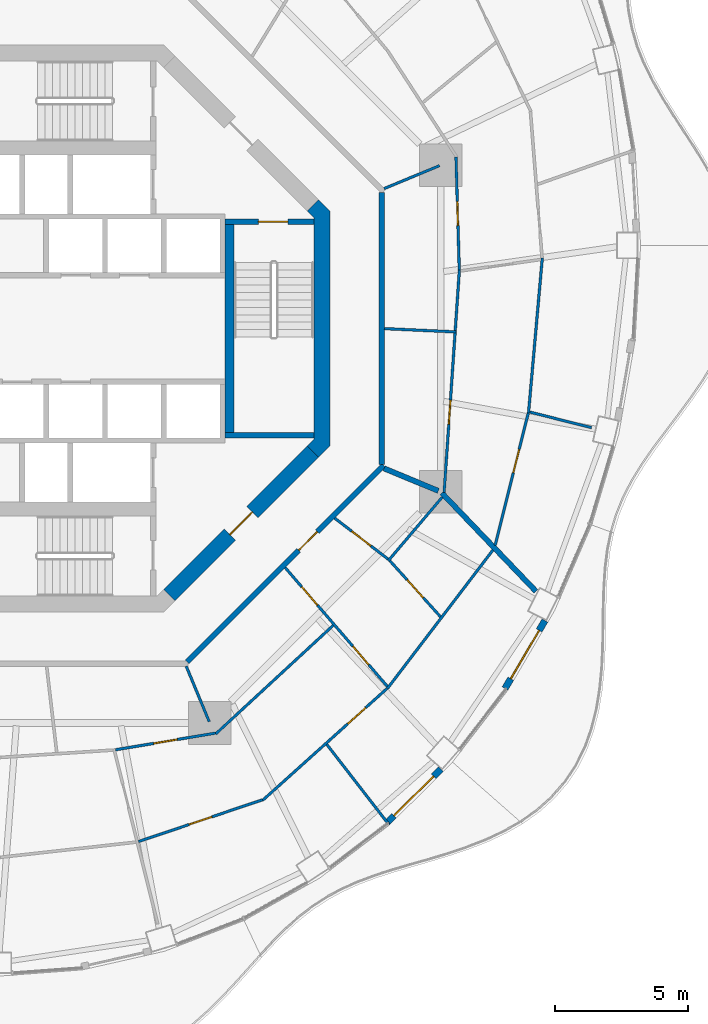
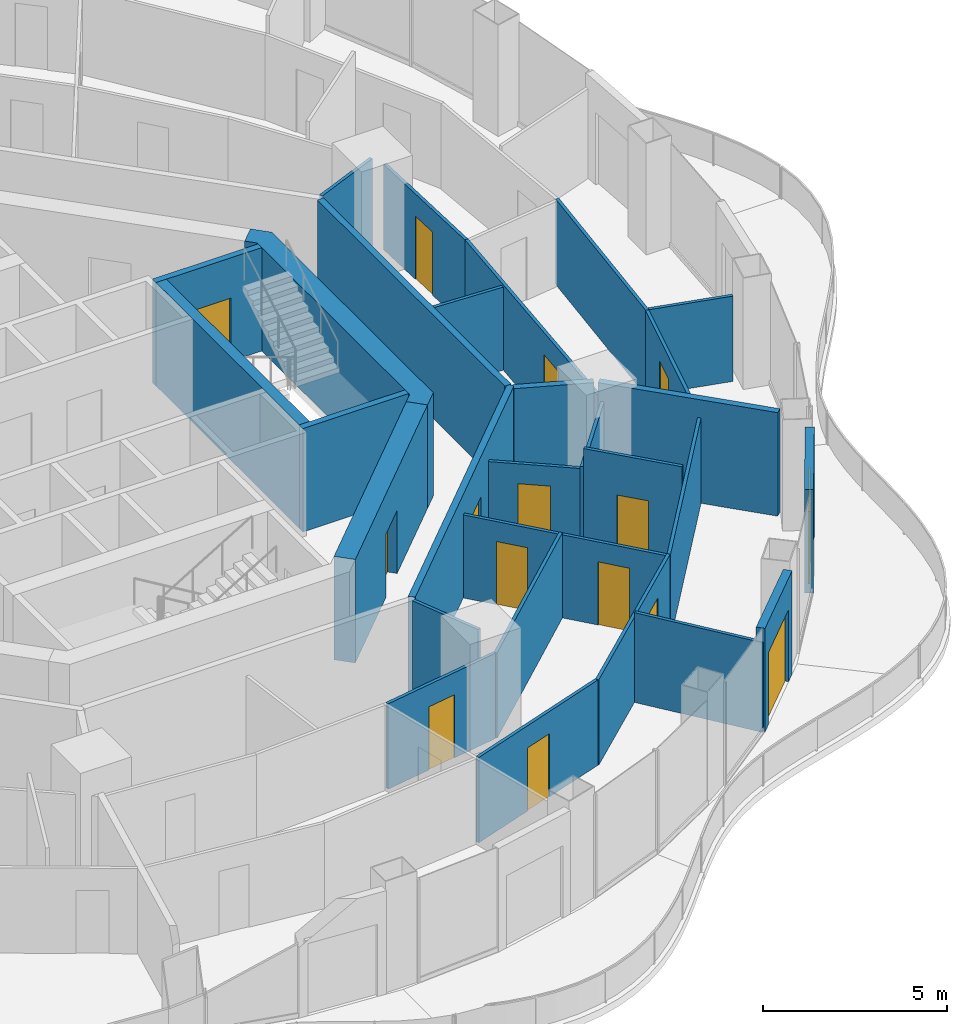
# One storey, part 12 of 18: 29 walls, 15 doors, 15 openings.
"""IFC4 building model written with IfcOpenShell, lengths in metres."""

import ifcopenshell
import ifcopenshell.guid

model = None  # the IFC model being written
_history = None  # IfcOwnerHistory: only IFC2X3 demands one
_inside = {}  # id of a spatial element -> (the spatial element, [elements in it])
_under = {}  # id of a project, library or spatial element -> (it, [spatial elements below it])
_declared = {}  # id of a project -> (the project, [libraries it declares])
_typed = {}  # id of a type object -> (the type object, [elements of that type])
_made_of = {}  # id of a material, layer set ... -> (it, [elements and type objects made of it])


def new_model(schema):
    """Start an empty IFC model of exactly this schema.

    Asked for "IFC4X3", IfcOpenShell would pick the latest addendum, in which some entities
    have other attributes; the version numbers below select the first issue.
    IFC2X3 requires an IfcOwnerHistory on every rooted entity: one is made here for all.
    """
    global model, _history
    if schema == "IFC4X3":
        model = ifcopenshell.file(schema_version=(4, 3, 0, 0))
    else:
        model = ifcopenshell.file(schema=schema)
    _inside.clear()
    _under.clear()
    _declared.clear()
    _typed.clear()
    _made_of.clear()
    _history = None
    if model.schema == "IFC2X3":
        org = make("IfcOrganization", Name="unknown")
        user = make(
            "IfcPersonAndOrganization",
            ThePerson=make("IfcPerson", FamilyName="unknown"),
            TheOrganization=org,
        )
        app = make(
            "IfcApplication",
            ApplicationDeveloper=org,
            Version="unknown",
            ApplicationFullName="unknown",
            ApplicationIdentifier="unknown",
        )
        _history = make(
            "IfcOwnerHistory",
            OwningUser=user,
            OwningApplication=app,
            ChangeAction="ADDED",
            CreationDate=0,
        )
    return model


def make(cls, **values):
    """One entity of the class cls with the attributes given. An attribute that is None is left unset."""
    return model.create_entity(
        cls, **{name: value for name, value in values.items() if value is not None}
    )


def rooted(cls, **values):
    """An entity with a GlobalId (a new one), such as an element, a storey or a relation."""
    return make(cls, GlobalId=ifcopenshell.guid.new(), OwnerHistory=_history, **values)


def si_unit(unit_type, name, prefix=None):
    """IfcSIUnit, for example si_unit("LENGTHUNIT", "METRE", prefix="MILLI")."""
    return make("IfcSIUnit", UnitType=unit_type, Prefix=prefix, Name=name)


def assignment(units):
    """IfcUnitAssignment: the units of a project."""
    return None if units is None else make("IfcUnitAssignment", Units=units)


def point(xyz):
    """IfcCartesianPoint."""
    return None if xyz is None else make("IfcCartesianPoint", Coordinates=xyz)


def direction(xyz):
    """IfcDirection."""
    return None if xyz is None else make("IfcDirection", DirectionRatios=xyz)


def frame(location, z_axis=None, x_axis=None):
    """IfcAxis2Placement3D, a coordinate frame: its origin and axes. An axis left out is left unset."""
    return make(
        "IfcAxis2Placement3D",
        Location=point(location),
        Axis=direction(z_axis),
        RefDirection=direction(x_axis),
    )


def frame_2d(location, x_axis=None):
    """IfcAxis2Placement2D, a coordinate frame in the plane: its origin and x axis."""
    return make(
        "IfcAxis2Placement2D", Location=point(location), RefDirection=direction(x_axis)
    )


def origin():
    """The frame at (0, 0, 0) with its axes left unset."""
    return frame((0.0, 0.0, 0.0))


def place(relative_to, where):
    """IfcLocalPlacement: puts the frame where relative to a parent placement (None: the world)."""
    return make(
        "IfcLocalPlacement", PlacementRelTo=relative_to, RelativePlacement=where
    )


def context(
    kind, dimensions, precision=None, world=None, true_north=None, identifier=None
):
    """IfcGeometricRepresentationContext, for example the 3D "Model" context."""
    return make(
        "IfcGeometricRepresentationContext",
        ContextIdentifier=identifier,
        ContextType=kind,
        CoordinateSpaceDimension=dimensions,
        Precision=precision,
        WorldCoordinateSystem=world,
        TrueNorth=true_north,
    )


def subcontext(parent, identifier, kind, view, scale=None):
    """IfcGeometricRepresentationSubContext, for example "Body" below "Model"."""
    return make(
        "IfcGeometricRepresentationSubContext",
        ContextIdentifier=identifier,
        ContextType=kind,
        ParentContext=parent,
        TargetScale=scale,
        TargetView=view,
    )


def project(units=None, contexts=None):
    """IfcProject with its units and contexts."""
    return rooted(
        "IfcProject",
        Name="project",
        RepresentationContexts=contexts,
        UnitsInContext=assignment(units),
    )


def spatial(cls, under=None, at=None, **own):
    """A site, building, storey or space (cls), placed at a placement, below another one or the project."""
    s = rooted(cls, ObjectPlacement=at, **own)
    if under is not None:
        _under.setdefault(under.id(), (under, []))[1].append(s)
    return s


def polyline(points):
    """IfcPolyline through the points."""
    return make("IfcPolyline", Points=[point(p) for p in points])


def profile(cls, at=None, kind="AREA", **sizes):
    """A parametric profile (cls). Its sizes go by their IFC names, for example OverallWidth=200.0."""
    return make(cls, ProfileType=kind, Position=at, **sizes)


def rectangle(**sizes):
    """IfcRectangleProfileDef."""
    return profile("IfcRectangleProfileDef", **sizes)


def outline(outer, holes=None, kind="AREA"):
    """IfcArbitraryClosedProfileDef: a profile drawn as a closed curve; with holes, ...WithVoids."""
    if holes is None:
        return make("IfcArbitraryClosedProfileDef", ProfileType=kind, OuterCurve=outer)
    return make(
        "IfcArbitraryProfileDefWithVoids",
        ProfileType=kind,
        OuterCurve=outer,
        InnerCurves=holes,
    )


def extrude(swept, where, along, depth):
    """IfcExtrudedAreaSolid: the profile swept, set in the frame where, extruded along a direction by depth."""
    return make(
        "IfcExtrudedAreaSolid",
        SweptArea=swept,
        Position=where,
        ExtrudedDirection=direction(along),
        Depth=depth,
    )


def shape(context_of_items, identifier, shape_type, items):
    """IfcShapeRepresentation: the items that make up one representation, for example the "Body"."""
    return make(
        "IfcShapeRepresentation",
        ContextOfItems=context_of_items,
        RepresentationIdentifier=identifier,
        RepresentationType=shape_type,
        Items=items,
    )


def material(Name=None, Category=None):
    """IfcMaterial."""
    return make("IfcMaterial", Name=Name, Category=Category)


def layer(
    of_material, thickness, ventilated=None, Name=None, Category=None, Priority=None
):
    """IfcMaterialLayer: one layer of a wall or slab, of a material (None: an air gap)."""
    return make(
        "IfcMaterialLayer",
        Material=of_material,
        LayerThickness=thickness,
        IsVentilated=ventilated,
        Name=Name,
        Category=Category,
        Priority=Priority,
    )


def layer_set(layers, Name=None):
    """IfcMaterialLayerSet."""
    return make("IfcMaterialLayerSet", MaterialLayers=layers, LayerSetName=Name)


def made_of(thing, what):
    """Note that an element or type object is made of a material, layer set ...; save() writes the relation."""
    if what is not None:
        _made_of.setdefault(what.id(), (what, []))[1].append(thing)
    return thing


def type_object(cls, material=None, **own):
    """A type object (cls), such as IfcWallType, which elements share."""
    return made_of(rooted(cls, **own), material)


def element(
    cls,
    number,
    at=None,
    inside=None,
    cuts=None,
    type_object=None,
    material=None,
    context=None,
    identifier="Body",
    shape_type=None,
    held_by="IfcProductDefinitionShape",
    body=None,
    shapes=None,
    **own,
):
    """One element of the class cls, such as IfcWall. Its Tag is "e" and its number.

    at: its placement. inside: the storey or other place that contains it. cuts: it is an
    opening in that element (IfcRelVoidsElement). A single representation is given by context,
    identifier, shape_type and body (its items); several are given by shapes. held_by: the class
    of the entity that holds the representations. save() writes the other relations.
    """
    e = rooted(cls, Tag="e%d" % number, ObjectPlacement=at, **own)
    if body is not None:
        shapes = [shape(context, identifier, shape_type, body)]
    if shapes is not None:
        e.Representation = make(held_by, Representations=shapes)
    if inside is not None:
        _inside.setdefault(inside.id(), (inside, []))[1].append(e)
    if cuts is not None:
        rooted(
            "IfcRelVoidsElement", RelatingBuildingElement=cuts, RelatedOpeningElement=e
        )
    if type_object is not None:
        _typed.setdefault(type_object.id(), (type_object, []))[1].append(e)
    return made_of(e, material)


def fill(opening, filler):
    """IfcRelFillsElement: the door or window that sits in an opening."""
    return rooted(
        "IfcRelFillsElement",
        RelatingOpeningElement=opening,
        RelatedBuildingElement=filler,
    )


def aggregate(whole, parts):
    """IfcRelAggregates: a whole, such as a stair, and the parts it consists of."""
    return rooted("IfcRelAggregates", RelatingObject=whole, RelatedObjects=parts)


def save(model, path):
    """Write the relations noted so far, then the file.

    IfcRelAggregates (storeys below a building ...), IfcRelContainedInSpatialStructure (elements
    in a storey), IfcRelDefinesByType, IfcRelAssociatesMaterial and IfcRelDeclares: one each for
    every whole, place, type object, material and project.
    """
    for whole, parts in _under.values():
        aggregate(whole, parts)
    for where, things in _inside.values():
        rooted(
            "IfcRelContainedInSpatialStructure",
            RelatedElements=things,
            RelatingStructure=where,
        )
    for kind, things in _typed.values():
        rooted("IfcRelDefinesByType", RelatedObjects=things, RelatingType=kind)
    for what, things in _made_of.values():
        rooted("IfcRelAssociatesMaterial", RelatedObjects=things, RelatingMaterial=what)
    for by, libraries in _declared.values():
        rooted("IfcRelDeclares", RelatingContext=by, RelatedDefinitions=libraries)
    model.write(path)


model = new_model("IFC4")

# Units and contexts
model_context = context("Model", 3, precision=1e-05, world=origin(), true_north=direction((0.0, 1.0)))
body_context = subcontext(model_context, "Body", "Model", "MODEL_VIEW")
ifc_project = project(units=[si_unit("LENGTHUNIT", "METRE"), si_unit("AREAUNIT", "SQUARE_METRE"), si_unit("VOLUMEUNIT", "CUBIC_METRE"), si_unit("PLANEANGLEUNIT", "RADIAN"), si_unit("MASSUNIT", "GRAM", prefix="KILO")], contexts=[model_context])

# Site, building, storey
site_placement = place(None, origin())
site = spatial("IfcSite", under=ifc_project, at=site_placement, CompositionType="ELEMENT")
building_placement = place(site_placement, origin())
building = spatial("IfcBuilding", under=site, at=building_placement, Name="Nagisa Residences", CompositionType="ELEMENT")
storey_placement = place(building_placement, frame((0.0, 0.0, 241.800048828125)))
storey = spatial("IfcBuildingStorey", under=building, at=storey_placement, Name="L61", CompositionType="ELEMENT", Elevation=241.800048828125)

# Walls
ifc_material_1 = material(Name="Gypsum board on steel studs", Category="steel")
ifc_layer_1 = layer(ifc_material_1, 0.199951171875)
ifc_layer_set_1 = layer_set([ifc_layer_1], Name="Apartment compartment wall EI60 200")
wall_type_1 = type_object("IfcWallType", Name="Apartment compartment wall EI60 200", PredefinedType="PARTITIONING", material=ifc_layer_set_1)
wall_1_placement = place(storey_placement, frame((12.6572265625, -5.24267578125, 0.0), z_axis=(0.0, 0.0, 1.0), x_axis=(0.923853160736, -0.382747093259, 0.0)))
element("IfcWall", 1, at=wall_1_placement, inside=storey, type_object=wall_type_1, Name="wall:L61:u06", PredefinedType="PARTITIONING", context=body_context, shape_type="SweptSolid", body=[
    extrude(rectangle(XDim=2.199951171875, YDim=0.199951171875, at=frame_2d((1.10009765625, 0.0))), origin(), (0.0, 0.0, 1.0), 3.43994140625),
])
wall_2_placement = place(storey_placement, frame((14.816650390625, -6.1591796875, 0.0), z_axis=(0.0, 0.0, 1.0), x_axis=(0.691437669875, -0.722436120828, 0.0)))
element("IfcWall", 2, at=wall_2_placement, inside=storey, type_object=wall_type_1, Name="wall:L61:u07", PredefinedType="PARTITIONING", context=body_context, shape_type="SweptSolid", body=[
    extrude(rectangle(XDim=5.103515625, YDim=0.199951171875, at=frame_2d((2.5517578125, 0.0))), origin(), (0.0, 0.0, 1.0), 3.43994140625),
])
ifc_material_2 = material(Name="Gypsum board on steel studs", Category="steel")
ifc_layer_2 = layer(ifc_material_2, 0.199951171875)
ifc_layer_set_2 = layer_set([ifc_layer_2], Name="Apartment entry wall EI60 200")
wall_type_2 = type_object("IfcWallType", Name="Apartment entry wall EI60 200", PredefinedType="PARTITIONING", material=ifc_layer_set_2)
wall_3_placement = place(storey_placement, frame((12.564697265625, -5.1044921875, 0.0), z_axis=(0.0, 0.0, 1.0), x_axis=(0.0, 1.0, 0.0)))
element("IfcWall", 3, at=wall_3_placement, inside=storey, type_object=wall_type_2, Name="wall:L61:u08", PredefinedType="PARTITIONING", context=body_context, shape_type="SweptSolid", body=[
    extrude(rectangle(XDim=10.208984375, YDim=0.199951171875, at=frame_2d((5.1044921875, 0.0))), origin(), (0.0, 0.0, 1.0), 3.43994140625),
])

# Wall, opening, door
wall_4_placement = place(storey_placement, frame((5.275146484375, -12.494140625, 0.0), z_axis=(0.0, 0.0, 1.0), x_axis=(0.707106781187, 0.707106781187, 0.0)))
wall_4 = element("IfcWall", 4, at=wall_4_placement, inside=storey, type_object=wall_type_2, Name="wall:L61:u15", PredefinedType="PARTITIONING", context=body_context, shape_type="SweptSolid", body=[
    extrude(rectangle(XDim=10.4091796875, YDim=0.199951171875, at=frame_2d((5.20458984375, 0.0))), origin(), (0.0, 0.0, 1.0), 3.43994140625),
])
opening_1_placement = place(wall_4_placement, frame((5.905517578125, 0.0, 0.0)))
opening_1 = element("IfcOpeningElement", 5, at=opening_1_placement, cuts=wall_4, Name="Opening L61-U09", PredefinedType="OPENING", context=body_context, shape_type="SweptSolid", body=[
    extrude(rectangle(XDim=1.0, YDim=2.10009765625, at=frame_2d((0.5, 1.050048828125))), frame((0.0, 0.10986328125, 0.0), z_axis=(0.0, -1.0, 0.0), x_axis=(1.0, 0.0, 0.0)), (0.0, 0.0, 1.0), 0.219970703125),
])
ifc_material_3 = material(Name="Timber fire door set", Category="wood")
door_type_1 = type_object("IfcDoorType", Name="Apartment entry door FD30S 1000x2100", OperationType="NOTDEFINED", PredefinedType="DOOR", material=ifc_material_3)
door_1_placement = place(opening_1_placement, frame((1.0, 0.0, 0.0), x_axis=(-1.0, 0.0, 0.0)))
door_1 = element("IfcDoor", 6, at=door_1_placement, inside=storey, type_object=door_type_1, Name="Entry door, Apartment 61B", OperationType="SINGLE_SWING_RIGHT", OverallHeight=2.10009765625, OverallWidth=1.0, PredefinedType="DOOR", context=body_context, shape_type="SweptSolid", body=[
    extrude(rectangle(XDim=1.0, YDim=2.10009765625, at=frame_2d((0.5, 1.050048828125))), frame((0.0, 0.02490234375, 0.0), z_axis=(0.0, -1.0, 0.0), x_axis=(1.0, 0.0, 0.0)), (0.0, 0.0, 1.0), 0.050048828125),
])
fill(opening_1, door_1)

ifc_material_4 = material(Name="Gypsum board on steel studs", Category="steel")
ifc_layer_3 = layer(ifc_material_4, 0.10009765625)
ifc_layer_set_3 = layer_set([ifc_layer_3], Name="Apartment partition 100")
wall_type_3 = type_object("IfcWallType", Name="Apartment partition 100", PredefinedType="PARTITIONING", material=ifc_layer_set_3)
wall_5_placement = place(storey_placement, frame((15.474853515625, 2.19970703125, 0.0), z_axis=(0.0, 0.0, 1.0), x_axis=(-0.029254637498, 0.999571991497, 0.0)))
wall_5 = element("IfcWall", 7, at=wall_5_placement, inside=storey, type_object=wall_type_3, Name="wall:L61:u17", PredefinedType="PARTITIONING", context=body_context, shape_type="SweptSolid", body=[
    extrude(rectangle(XDim=4.22265625, YDim=0.10009765625, at=frame_2d((2.111328125, 0.0))), origin(), (0.0, 0.0, 1.0), 2.8369140625),
])
opening_2_placement = place(wall_5_placement, frame((1.661376953125, 0.0, 0.0)))
opening_2 = element("IfcOpeningElement", 8, at=opening_2_placement, cuts=wall_5, Name="Opening L61-U36", PredefinedType="OPENING", context=body_context, shape_type="SweptSolid", body=[
    extrude(rectangle(XDim=0.89990234375, YDim=2.10009765625, at=frame_2d((0.449951171875, 1.050048828125))), frame((0.0, 0.06005859375, 0.0), z_axis=(0.0, -1.0, 0.0), x_axis=(1.0, 0.0, 0.0)), (0.0, 0.0, 1.0), 0.1201171875),
])
ifc_material_5 = material(Name="Timber door set", Category="wood")
door_type_2 = type_object("IfcDoorType", Name="Apartment door 900x2100", OperationType="NOTDEFINED", PredefinedType="DOOR", material=ifc_material_5)
door_2_placement = place(opening_2_placement, origin())
door_2 = element("IfcDoor", 9, at=door_2_placement, inside=storey, type_object=door_type_2, Name="Door to store, Apartment 61C", OperationType="SINGLE_SWING_RIGHT", OverallHeight=2.10009765625, OverallWidth=0.89990234375, PredefinedType="DOOR", context=body_context, shape_type="SweptSolid", body=[
    extrude(rectangle(XDim=0.89990234375, YDim=2.10009765625, at=frame_2d((0.449951171875, 1.050048828125))), frame((0.0, 0.02490234375, 0.0), z_axis=(0.0, -1.0, 0.0), x_axis=(1.0, 0.0, 0.0)), (0.0, 0.0, 1.0), 0.050048828125),
])
fill(opening_2, door_2)

wall_6_placement = place(storey_placement, frame((15.479736328125, 2.199462890625, 0.0), z_axis=(0.0, 0.0, 1.0), x_axis=(-0.068558685949, -0.997647085186, 0.0)))
wall_6 = element("IfcWall", 10, at=wall_6_placement, inside=storey, type_object=wall_type_3, Name="wall:L61:u18", PredefinedType="PARTITIONING", context=body_context, shape_type="SweptSolid", body=[
    extrude(rectangle(XDim=8.364990234375, YDim=0.10009765625, at=frame_2d((4.1826171875, 0.0))), origin(), (0.0, 0.0, 1.0), 2.8369140625),
])
opening_3_placement = place(wall_6_placement, frame((4.89794921875, 0.0, 0.0)))
opening_3 = element("IfcOpeningElement", 11, at=opening_3_placement, cuts=wall_6, Name="Opening L61-U39", PredefinedType="OPENING", context=body_context, shape_type="SweptSolid", body=[
    extrude(rectangle(XDim=0.89990234375, YDim=2.10009765625, at=frame_2d((0.449951171875, 1.050048828125))), frame((0.0, 0.06005859375, 0.0), z_axis=(0.0, -1.0, 0.0), x_axis=(1.0, 0.0, 0.0)), (0.0, 0.0, 1.0), 0.1201171875),
])
door_3_placement = place(opening_3_placement, frame((0.89990234375, 0.0, 0.0), x_axis=(-1.0, 0.0, 0.0)))
door_3 = element("IfcDoor", 12, at=door_3_placement, inside=storey, type_object=door_type_2, Name="Door to laundry, Apartment 61C", OperationType="SINGLE_SWING_RIGHT", OverallHeight=2.10009765625, OverallWidth=0.89990234375, PredefinedType="DOOR", context=body_context, shape_type="SweptSolid", body=[
    extrude(rectangle(XDim=0.89990234375, YDim=2.10009765625, at=frame_2d((0.449951171875, 1.050048828125))), frame((0.0, 0.02490234375, 0.0), z_axis=(0.0, -1.0, 0.0), x_axis=(1.0, 0.0, 0.0)), (0.0, 0.0, 1.0), 0.050048828125),
])
fill(opening_3, door_3)

# Walls
wall_7_placement = place(storey_placement, frame((18.58642578125, 2.64208984375, 0.0), z_axis=(0.0, 0.0, 1.0), x_axis=(-0.088638473361, -0.996063863937, 0.0)))
element("IfcWall", 13, at=wall_7_placement, inside=storey, type_object=wall_type_3, Name="wall:L61:u20", PredefinedType="PARTITIONING", context=body_context, shape_type="SweptSolid", body=[
    extrude(rectangle(XDim=5.83642578125, YDim=0.10009765625, at=frame_2d((2.918212890625, 0.0))), origin(), (0.0, 0.0, 1.0), 2.8369140625),
])
wall_8_placement = place(storey_placement, frame((12.6572265625, 5.24267578125, 0.0), z_axis=(0.0, 0.0, 1.0), x_axis=(0.923864733477, 0.382719158442, 0.0)))
element("IfcWall", 14, at=wall_8_placement, inside=storey, type_object=wall_type_3, Name="wall:L61:u22", PredefinedType="PARTITIONING", context=body_context, shape_type="SweptSolid", body=[
    extrude(rectangle(XDim=2.25, YDim=0.10009765625, at=frame_2d((1.125, 0.0))), origin(), (0.0, 0.0, 1.0), 3.43994140625),
])

# Wall, opening, door
wall_9_placement = place(storey_placement, frame((2.592529296875, -15.788818359375, 0.0), z_axis=(0.0, 0.0, 1.0), x_axis=(0.986381756816, 0.164471972749, 0.0)))
wall_9 = element("IfcWall", 15, at=wall_9_placement, inside=storey, type_object=wall_type_3, Name="wall:L61:u79", PredefinedType="PARTITIONING", context=body_context, shape_type="SweptSolid", body=[
    extrude(rectangle(XDim=3.797119140625, YDim=0.10009765625, at=frame_2d((1.8984375, 0.0))), origin(), (0.0, 0.0, 1.0), 2.8369140625),
])
opening_4_placement = place(wall_9_placement, frame((1.448486328125, 0.0, 0.0)))
opening_4 = element("IfcOpeningElement", 16, at=opening_4_placement, cuts=wall_9, Name="Opening L61-U16", PredefinedType="OPENING", context=body_context, shape_type="SweptSolid", body=[
    extrude(rectangle(XDim=0.89990234375, YDim=2.10009765625, at=frame_2d((0.449951171875, 1.050048828125))), frame((0.0, 0.06005859375, 0.0), z_axis=(0.0, -1.0, 0.0), x_axis=(1.0, 0.0, 0.0)), (0.0, 0.0, 1.0), 0.1201171875),
])
door_4_placement = place(opening_4_placement, origin())
door_4 = element("IfcDoor", 17, at=door_4_placement, inside=storey, type_object=door_type_2, Name="Door to laundry, Apartment 61B", OperationType="SINGLE_SWING_RIGHT", OverallHeight=2.10009765625, OverallWidth=0.89990234375, PredefinedType="DOOR", context=body_context, shape_type="SweptSolid", body=[
    extrude(rectangle(XDim=0.89990234375, YDim=2.10009765625, at=frame_2d((0.449951171875, 1.050048828125))), frame((0.0, 0.02490234375, 0.0), z_axis=(0.0, -1.0, 0.0), x_axis=(1.0, 0.0, 0.0)), (0.0, 0.0, 1.0), 0.050048828125),
])
fill(opening_4, door_4)

wall_10_placement = place(storey_placement, frame((3.453125, -19.228759765625, 0.0), z_axis=(0.0, 0.0, 1.0), x_axis=(0.947572025416, 0.319542261133, 0.0)))
wall_10 = element("IfcWall", 18, at=wall_10_placement, inside=storey, type_object=wall_type_3, Name="wall:L61:u80", PredefinedType="PARTITIONING", context=body_context, shape_type="SweptSolid", body=[
    extrude(rectangle(XDim=4.90283203125, YDim=0.10009765625, at=frame_2d((2.451416015625, 0.0))), origin(), (0.0, 0.0, 1.0), 2.8369140625),
])
opening_5_placement = place(wall_10_placement, frame((2.00146484375, 0.0, 0.0)))
opening_5 = element("IfcOpeningElement", 19, at=opening_5_placement, cuts=wall_10, Name="Opening L61-U14", PredefinedType="OPENING", context=body_context, shape_type="SweptSolid", body=[
    extrude(rectangle(XDim=0.89990234375, YDim=2.10009765625, at=frame_2d((0.449951171875, 1.050048828125))), frame((0.0, 0.06005859375, 0.0), z_axis=(0.0, -1.0, 0.0), x_axis=(1.0, 0.0, 0.0)), (0.0, 0.0, 1.0), 0.1201171875),
])
door_5_placement = place(opening_5_placement, frame((0.89990234375, 0.0, 0.0), x_axis=(-1.0, 0.0, 0.0)))
door_5 = element("IfcDoor", 20, at=door_5_placement, inside=storey, type_object=door_type_2, Name="Door to master bedroom, Apartment 61B", OperationType="SINGLE_SWING_LEFT", OverallHeight=2.10009765625, OverallWidth=0.89990234375, PredefinedType="DOOR", context=body_context, shape_type="SweptSolid", body=[
    extrude(rectangle(XDim=0.89990234375, YDim=2.10009765625, at=frame_2d((0.449951171875, 1.050048828125))), frame((0.0, 0.02490234375, 0.0), z_axis=(0.0, -1.0, 0.0), x_axis=(1.0, 0.0, 0.0)), (0.0, 0.0, 1.0), 0.050048828125),
])
fill(opening_5, door_5)

# Walls
wall_11_placement = place(storey_placement, frame((5.24267578125, -12.6572265625, 0.0), z_axis=(0.0, 0.0, 1.0), x_axis=(0.382719158442, -0.923864733477, 0.0)))
element("IfcWall", 21, at=wall_11_placement, inside=storey, type_object=wall_type_3, Name="wall:L61:u81", PredefinedType="PARTITIONING", context=body_context, shape_type="SweptSolid", body=[
    extrude(rectangle(XDim=2.25, YDim=0.10009765625, at=frame_2d((1.125, 0.0))), origin(), (0.0, 0.0, 1.0), 3.43994140625),
])
wall_12_placement = place(storey_placement, frame((6.3505859375, -15.18994140625, 0.0), z_axis=(0.0, 0.0, 1.0), x_axis=(0.73462674599, 0.678471476243, 0.0)))
element("IfcWall", 22, at=wall_12_placement, inside=storey, type_object=wall_type_3, Name="wall:L61:u82", PredefinedType="PARTITIONING", context=body_context, shape_type="SweptSolid", body=[
    extrude(rectangle(XDim=5.986572265625, YDim=0.10009765625, at=frame_2d((2.9931640625, 0.0))), origin(), (0.0, 0.0, 1.0), 2.8369140625),
])

# Wall, opening, door
wall_13_placement = place(storey_placement, frame((8.109130859375, -17.679443359375, 0.0), z_axis=(0.0, 0.0, 1.0), x_axis=(0.743675165651, 0.668541134108, 0.0)))
wall_13 = element("IfcWall", 23, at=wall_13_placement, inside=storey, type_object=wall_type_3, Name="wall:L61:u83", PredefinedType="PARTITIONING", context=body_context, shape_type="SweptSolid", body=[
    extrude(rectangle(XDim=6.274658203125, YDim=0.10009765625, at=frame_2d((3.13720703125, 0.0))), origin(), (0.0, 0.0, 1.0), 2.8369140625),
])
opening_6_placement = place(wall_13_placement, frame((4.281005859375, 0.0, 0.0)))
opening_6 = element("IfcOpeningElement", 24, at=opening_6_placement, cuts=wall_13, Name="Opening L61-U15", PredefinedType="OPENING", context=body_context, shape_type="SweptSolid", body=[
    extrude(rectangle(XDim=0.89990234375, YDim=2.10009765625, at=frame_2d((0.449951171875, 1.050048828125))), frame((0.0, 0.06005859375, 0.0), z_axis=(0.0, -1.0, 0.0), x_axis=(1.0, 0.0, 0.0)), (0.0, 0.0, 1.0), 0.1201171875),
])
door_6_placement = place(opening_6_placement, frame((0.89990234375, 0.0, 0.0), x_axis=(-1.0, 0.0, 0.0)))
door_6 = element("IfcDoor", 25, at=door_6_placement, inside=storey, type_object=door_type_2, Name="Door to bedroom, Apartment 61B", OperationType="SINGLE_SWING_RIGHT", OverallHeight=2.10009765625, OverallWidth=0.89990234375, PredefinedType="DOOR", context=body_context, shape_type="SweptSolid", body=[
    extrude(rectangle(XDim=0.89990234375, YDim=2.10009765625, at=frame_2d((0.449951171875, 1.050048828125))), frame((0.0, 0.02490234375, 0.0), z_axis=(0.0, -1.0, 0.0), x_axis=(1.0, 0.0, 0.0)), (0.0, 0.0, 1.0), 0.050048828125),
])
fill(opening_6, door_6)

# Wall
wall_14_placement = place(storey_placement, frame((10.510009765625, -15.588134765625, 0.0), z_axis=(0.0, 0.0, 1.0), x_axis=(0.612443725286, -0.79051418922, 0.0)))
element("IfcWall", 26, at=wall_14_placement, inside=storey, type_object=wall_type_3, Name="wall:L61:u84", PredefinedType="PARTITIONING", context=body_context, shape_type="SweptSolid", body=[
    extrude(rectangle(XDim=3.785400390625, YDim=0.10009765625, at=frame_2d((1.892578125, 0.0))), origin(), (0.0, 0.0, 1.0), 2.98291015625),
])

# Wall, openings, doors
wall_15_placement = place(storey_placement, frame((8.949951171875, -8.96044921875, 0.0), z_axis=(0.0, 0.0, 1.0), x_axis=(0.652098047064, -0.758134643065, 0.0)))
wall_15 = element("IfcWall", 27, at=wall_15_placement, inside=storey, type_object=wall_type_3, Name="wall:L61:u85", PredefinedType="PARTITIONING", context=body_context, shape_type="SweptSolid", body=[
    extrude(rectangle(XDim=5.87353515625, YDim=0.10009765625, at=frame_2d((2.936767578125, 0.0))), origin(), (0.0, 0.0, 1.0), 2.761962890625),
])
opening_7_placement = place(wall_15_placement, frame((0.957275390625, 0.0, 0.0)))
opening_7 = element("IfcOpeningElement", 28, at=opening_7_placement, cuts=wall_15, Name="Opening L61-U10", PredefinedType="OPENING", context=body_context, shape_type="SweptSolid", body=[
    extrude(rectangle(XDim=0.89990234375, YDim=2.10009765625, at=frame_2d((0.449951171875, 1.050048828125))), frame((0.0, 0.06005859375, 0.0), z_axis=(0.0, -1.0, 0.0), x_axis=(1.0, 0.0, 0.0)), (0.0, 0.0, 1.0), 0.1201171875),
])
opening_8_placement = place(wall_15_placement, frame((3.89404296875, 0.0, 0.0)))
opening_8 = element("IfcOpeningElement", 29, at=opening_8_placement, cuts=wall_15, Name="Opening L61-U12", PredefinedType="OPENING", context=body_context, shape_type="SweptSolid", body=[
    extrude(rectangle(XDim=0.89990234375, YDim=2.10009765625, at=frame_2d((0.449951171875, 1.050048828125))), frame((0.0, 0.06005859375, 0.0), z_axis=(0.0, -1.0, 0.0), x_axis=(1.0, 0.0, 0.0)), (0.0, 0.0, 1.0), 0.1201171875),
])
door_7_placement = place(opening_7_placement, frame((0.89990234375, 0.0, 0.0), x_axis=(-1.0, 0.0, 0.0)))
door_7 = element("IfcDoor", 30, at=door_7_placement, inside=storey, type_object=door_type_2, Name="Door to laundry, Apartment 61B", OperationType="SINGLE_SWING_LEFT", OverallHeight=2.10009765625, OverallWidth=0.89990234375, PredefinedType="DOOR", context=body_context, shape_type="SweptSolid", body=[
    extrude(rectangle(XDim=0.89990234375, YDim=2.10009765625, at=frame_2d((0.449951171875, 1.050048828125))), frame((0.0, 0.02490234375, 0.0), z_axis=(0.0, -1.0, 0.0), x_axis=(1.0, 0.0, 0.0)), (0.0, 0.0, 1.0), 0.050048828125),
])
fill(opening_7, door_7)
door_8_placement = place(opening_8_placement, frame((0.89990234375, 0.0, 0.0), x_axis=(-1.0, 0.0, 0.0)))
door_8 = element("IfcDoor", 31, at=door_8_placement, inside=storey, type_object=door_type_2, Name="Door to dining room, Apartment 61B", OperationType="SINGLE_SWING_LEFT", OverallHeight=2.10009765625, OverallWidth=0.89990234375, PredefinedType="DOOR", context=body_context, shape_type="SweptSolid", body=[
    extrude(rectangle(XDim=0.89990234375, YDim=2.10009765625, at=frame_2d((0.449951171875, 1.050048828125))), frame((0.0, 0.02490234375, 0.0), z_axis=(0.0, -1.0, 0.0), x_axis=(1.0, 0.0, 0.0)), (0.0, 0.0, 1.0), 0.050048828125),
])
fill(opening_8, door_8)

# Wall
wall_16_placement = place(storey_placement, frame((12.7822265625, -13.490966796875, 0.0), z_axis=(0.0, 0.0, 1.0), x_axis=(0.606141365852, 0.79535692906, 0.0)))
element("IfcWall", 32, at=wall_16_placement, inside=storey, type_object=wall_type_3, Name="wall:L61:u86", PredefinedType="PARTITIONING", context=body_context, shape_type="SweptSolid", body=[
    extrude(rectangle(XDim=6.519775390625, YDim=0.10009765625, at=frame_2d((3.259765625, 0.0))), origin(), (0.0, 0.0, 1.0), 2.8369140625),
])

# Wall, opening, door
wall_17_placement = place(storey_placement, frame((10.803955078125, -7.10546875, 0.0), z_axis=(0.0, 0.0, 1.0), x_axis=(0.793311502848, -0.608815948747, 0.0)))
wall_17 = element("IfcWall", 33, at=wall_17_placement, inside=storey, type_object=wall_type_3, Name="wall:L61:u87", PredefinedType="PARTITIONING", context=body_context, shape_type="SweptSolid", body=[
    extrude(rectangle(XDim=2.51953125, YDim=0.10009765625, at=frame_2d((1.259765625, 0.0))), origin(), (0.0, 0.0, 1.0), 2.761962890625),
])
opening_9_placement = place(wall_17_placement, frame((0.809814453125, 0.0, 0.0)))
opening_9 = element("IfcOpeningElement", 34, at=opening_9_placement, cuts=wall_17, Name="Opening L61-U11", PredefinedType="OPENING", context=body_context, shape_type="SweptSolid", body=[
    extrude(rectangle(XDim=0.89990234375, YDim=2.10009765625, at=frame_2d((0.449951171875, 1.050048828125))), frame((0.0, 0.06005859375, 0.0), z_axis=(0.0, -1.0, 0.0), x_axis=(1.0, 0.0, 0.0)), (0.0, 0.0, 1.0), 0.1201171875),
])
door_9_placement = place(opening_9_placement, origin())
door_9 = element("IfcDoor", 35, at=door_9_placement, inside=storey, type_object=door_type_2, Name="Door to family bathroom, Apartment 61B", OperationType="SINGLE_SWING_LEFT", OverallHeight=2.10009765625, OverallWidth=0.89990234375, PredefinedType="DOOR", context=body_context, shape_type="SweptSolid", body=[
    extrude(rectangle(XDim=0.89990234375, YDim=2.10009765625, at=frame_2d((0.449951171875, 1.050048828125))), frame((0.0, 0.02490234375, 0.0), z_axis=(0.0, -1.0, 0.0), x_axis=(1.0, 0.0, 0.0)), (0.0, 0.0, 1.0), 0.050048828125),
])
fill(opening_9, door_9)

wall_18_placement = place(storey_placement, frame((12.8759765625, -8.70703125, 0.0), z_axis=(0.0, 0.0, 1.0), x_axis=(0.670768418052, -0.741666858733, 0.0)))
wall_18 = element("IfcWall", 36, at=wall_18_placement, inside=storey, type_object=wall_type_3, Name="wall:L61:u88", PredefinedType="PARTITIONING", context=body_context, shape_type="SweptSolid", body=[
    extrude(rectangle(XDim=2.82373046875, YDim=0.10009765625, at=frame_2d((1.411865234375, 0.0))), origin(), (0.0, 0.0, 1.0), 3.43994140625),
])
opening_10_placement = place(wall_18_placement, frame((0.9619140625, 0.0, 0.0)))
opening_10 = element("IfcOpeningElement", 37, at=opening_10_placement, cuts=wall_18, Name="Opening L61-U13", PredefinedType="OPENING", context=body_context, shape_type="SweptSolid", body=[
    extrude(rectangle(XDim=0.89990234375, YDim=2.10009765625, at=frame_2d((0.449951171875, 1.050048828125))), frame((0.0, 0.06005859375, 0.0), z_axis=(0.0, -1.0, 0.0), x_axis=(1.0, 0.0, 0.0)), (0.0, 0.0, 1.0), 0.1201171875),
])
door_10_placement = place(opening_10_placement, origin())
door_10 = element("IfcDoor", 38, at=door_10_placement, inside=storey, type_object=door_type_2, Name="Door to family bathroom, Apartment 61B", OperationType="SINGLE_SWING_LEFT", OverallHeight=2.10009765625, OverallWidth=0.89990234375, PredefinedType="DOOR", context=body_context, shape_type="SweptSolid", body=[
    extrude(rectangle(XDim=0.89990234375, YDim=2.10009765625, at=frame_2d((0.449951171875, 1.050048828125))), frame((0.0, 0.02490234375, 0.0), z_axis=(0.0, -1.0, 0.0), x_axis=(1.0, 0.0, 0.0)), (0.0, 0.0, 1.0), 0.050048828125),
])
fill(opening_10, door_10)

# Wall
wall_19_placement = place(storey_placement, frame((12.81005859375, -8.7080078125, 0.0), z_axis=(0.0, 0.0, 1.0), x_axis=(0.646973324627, 0.762512634138, 0.0)))
element("IfcWall", 39, at=wall_19_placement, inside=storey, type_object=wall_type_3, Name="wall:L61:u89", PredefinedType="PARTITIONING", context=body_context, shape_type="SweptSolid", body=[
    extrude(rectangle(XDim=3.12939453125, YDim=0.10009765625, at=frame_2d((1.564697265625, 0.0))), origin(), (0.0, 0.0, 1.0), 2.8369140625),
])

# Wall, opening, door
wall_20_placement = place(storey_placement, frame((16.81884765625, -8.128662109375, 0.0), z_axis=(0.0, 0.0, 1.0), x_axis=(0.243041266705, 0.970015949703, 0.0)))
wall_20 = element("IfcWall", 40, at=wall_20_placement, inside=storey, type_object=wall_type_3, Name="wall:L61:u90", PredefinedType="PARTITIONING", context=body_context, shape_type="SweptSolid", body=[
    extrude(rectangle(XDim=5.112060546875, YDim=0.10009765625, at=frame_2d((2.55615234375, 0.0))), origin(), (0.0, 0.0, 1.0), 2.8369140625),
])
opening_11_placement = place(wall_20_placement, frame((2.808349609375, 0.0, 0.0)))
opening_11 = element("IfcOpeningElement", 41, at=opening_11_placement, cuts=wall_20, Name="Opening L61-U38", PredefinedType="OPENING", context=body_context, shape_type="SweptSolid", body=[
    extrude(rectangle(XDim=0.89990234375, YDim=2.10009765625, at=frame_2d((0.449951171875, 1.050048828125))), frame((0.0, 0.06005859375, 0.0), z_axis=(0.0, -1.0, 0.0), x_axis=(1.0, 0.0, 0.0)), (0.0, 0.0, 1.0), 0.1201171875),
])
door_11_placement = place(opening_11_placement, frame((0.89990234375, 0.0, 0.0), x_axis=(-1.0, 0.0, 0.0)))
door_11 = element("IfcDoor", 42, at=door_11_placement, inside=storey, type_object=door_type_2, Name="Door to bedroom, Apartment 61C", OperationType="SINGLE_SWING_LEFT", OverallHeight=2.10009765625, OverallWidth=0.89990234375, PredefinedType="DOOR", context=body_context, shape_type="SweptSolid", body=[
    extrude(rectangle(XDim=0.89990234375, YDim=2.10009765625, at=frame_2d((0.449951171875, 1.050048828125))), frame((0.0, 0.02490234375, 0.0), z_axis=(0.0, -1.0, 0.0), x_axis=(1.0, 0.0, 0.0)), (0.0, 0.0, 1.0), 0.050048828125),
])
fill(opening_11, door_11)

# Walls
wall_21_placement = place(storey_placement, frame((18.1220703125, -3.1337890625, 0.0), z_axis=(0.0, 0.0, 1.0), x_axis=(0.969755347697, -0.244079015102, 0.0)))
element("IfcWall", 43, at=wall_21_placement, inside=storey, type_object=wall_type_3, Name="wall:L61:u91", PredefinedType="PARTITIONING", context=body_context, shape_type="SweptSolid", body=[
    extrude(rectangle(XDim=2.381591796875, YDim=0.10009765625, at=frame_2d((1.19091796875, 0.0))), origin(), (0.0, 0.0, 1.0), 2.8369140625),
])
wall_22_placement = place(storey_placement, frame((12.66455078125, -0.004638671875, 0.0), z_axis=(0.0, 0.0, 1.0), x_axis=(0.998950319191, -0.045806765749, 0.0)))
element("IfcWall", 44, at=wall_22_placement, inside=storey, type_object=wall_type_3, Name="wall:L61:u92", PredefinedType="PARTITIONING", context=body_context, shape_type="SweptSolid", body=[
    extrude(rectangle(XDim=2.691650390625, YDim=0.10009765625, at=frame_2d((1.345703125, 0.0))), origin(), (0.0, 0.0, 1.0), 2.761962890625),
])

# Wall, opening, door
ifc_material_6 = material(Name="Precast concrete C40/50", Category="concrete")
ifc_layer_4 = layer(ifc_material_6, 0.25)
ifc_layer_set_4 = layer_set([ifc_layer_4], Name="BALCONY DOOR WALL 250")
wall_type_4 = type_object("IfcWallType", Name="BALCONY DOOR WALL 250", PredefinedType="SOLIDWALL", material=ifc_layer_set_4)
wall_23_placement = place(storey_placement, frame((14.77783203125, -16.5146484375, 0.0), z_axis=(0.0, 0.0, 1.0), x_axis=(-0.707836044127, -0.706376765356, 0.0)))
wall_23 = element("IfcWall", 45, at=wall_23_placement, inside=storey, type_object=wall_type_4, Name="wall:L61:bay41", PredefinedType="SOLIDWALL", context=body_context, shape_type="SweptSolid", body=[
    extrude(rectangle(XDim=2.84423828125, YDim=0.25, at=frame_2d((1.422119140625, 0.0))), origin(), (0.0, 0.0, 1.0), 3.43994140625),
])
opening_12_placement = place(wall_23_placement, frame((0.3720703125, 0.0, 0.0)))
opening_12 = element("IfcOpeningElement", 46, at=opening_12_placement, cuts=wall_23, Name="Opening BD-L61-14", PredefinedType="OPENING", context=body_context, shape_type="SweptSolid", body=[
    extrude(rectangle(XDim=2.10009765625, YDim=2.39990234375, at=frame_2d((1.050048828125, 1.199951171875))), frame((0.0, 0.135009765625, 0.0), z_axis=(0.0, -1.0, 0.0), x_axis=(1.0, 0.0, 0.0)), (0.0, 0.0, 1.0), 0.27001953125),
])
ifc_material_7 = material(Name="Aluminium and clear glass", Category="aluminium")
door_type_3 = type_object("IfcDoorType", Name="BALCONY SLIDING DOOR 2100x2400", OperationType="SLIDING_TO_LEFT", PredefinedType="DOOR", material=ifc_material_7)
door_12_placement = place(opening_12_placement, origin())
door_12 = element("IfcDoor", 47, at=door_12_placement, inside=storey, type_object=door_type_3, Name="door:L61:bay41", OperationType="SLIDING_TO_LEFT", OverallHeight=2.39990234375, OverallWidth=2.10009765625, PredefinedType="DOOR", context=body_context, shape_type="SweptSolid", body=[
    extrude(rectangle(XDim=2.10009765625, YDim=2.39990234375, at=frame_2d((1.050048828125, 1.199951171875))), frame((0.0, 0.02490234375, 0.0), z_axis=(0.0, -1.0, 0.0), x_axis=(1.0, 0.0, 0.0)), (0.0, 0.0, 1.0), 0.050048828125),
])
fill(opening_12, door_12)

wall_24_placement = place(storey_placement, frame((18.684326171875, -10.945068359375, 0.0), z_axis=(0.0, 0.0, 1.0), x_axis=(-0.5063555387, -0.862324804484, 0.0)))
wall_24 = element("IfcWall", 48, at=wall_24_placement, inside=storey, type_object=wall_type_4, Name="wall:L61:bay43", PredefinedType="SOLIDWALL", context=body_context, shape_type="SweptSolid", body=[
    extrude(rectangle(XDim=2.95458984375, YDim=0.25, at=frame_2d((1.477294921875, 0.0))), origin(), (0.0, 0.0, 1.0), 3.43994140625),
])
opening_13_placement = place(wall_24_placement, frame((0.42724609375, 0.0, 0.0)))
opening_13 = element("IfcOpeningElement", 49, at=opening_13_placement, cuts=wall_24, Name="Opening BD-L61-15", PredefinedType="OPENING", context=body_context, shape_type="SweptSolid", body=[
    extrude(rectangle(XDim=2.10009765625, YDim=2.39990234375, at=frame_2d((1.050048828125, 1.199951171875))), frame((0.0, 0.135009765625, 0.0), z_axis=(0.0, -1.0, 0.0), x_axis=(1.0, 0.0, 0.0)), (0.0, 0.0, 1.0), 0.27001953125),
])
door_13_placement = place(opening_13_placement, origin())
door_13 = element("IfcDoor", 50, at=door_13_placement, inside=storey, type_object=door_type_3, Name="door:L61:bay43", OperationType="SLIDING_TO_LEFT", OverallHeight=2.39990234375, OverallWidth=2.10009765625, PredefinedType="DOOR", context=body_context, shape_type="SweptSolid", body=[
    extrude(rectangle(XDim=2.10009765625, YDim=2.39990234375, at=frame_2d((1.050048828125, 1.199951171875))), frame((0.0, 0.02490234375, 0.0), z_axis=(0.0, -1.0, 0.0), x_axis=(1.0, 0.0, 0.0)), (0.0, 0.0, 1.0), 0.050048828125),
])
fill(opening_13, door_13)

ifc_material_8 = material(Name="Concrete C60", Category="concrete")
ifc_layer_5 = layer(ifc_material_8, 0.60009765625)
ifc_layer_set_5 = layer_set([ifc_layer_5], Name="Core shear wall 600")
wall_type_5 = type_object("IfcWallType", Name="Core shear wall 600", PredefinedType="SHEAR", material=ifc_layer_set_5)
wall_25_placement = place(storey_placement, frame((4.613037109375, -9.98828125, 0.0), z_axis=(0.0, 0.0, 1.0), x_axis=(0.707106781187, 0.707106781187, 0.0)))
wall_25 = element("IfcWall", 51, at=wall_25_placement, inside=storey, type_object=wall_type_5, Name="wall:L61:core:flat7", PredefinedType="SHEAR", context=body_context, shape_type="SweptSolid", body=[
    extrude(rectangle(XDim=7.601806640625, YDim=0.60009765625, at=frame_2d((3.80078125, 0.0))), origin(), (0.0, 0.0, 1.0), 3.43994140625),
])
opening_14_placement = place(wall_25_placement, frame((3.200927734375, 0.0, 0.0)))
opening_14 = element("IfcOpeningElement", 52, at=opening_14_placement, cuts=wall_25, Name="Opening L61-C20", PredefinedType="OPENING", context=body_context, shape_type="SweptSolid", body=[
    extrude(rectangle(XDim=1.199951171875, YDim=2.10009765625, at=frame_2d((0.60009765625, 1.050048828125))), frame((0.0, 0.31005859375, 0.0), z_axis=(0.0, -1.0, 0.0), x_axis=(1.0, 0.0, 0.0)), (0.0, 0.0, 1.0), 0.6201171875),
])
ifc_material_9 = material(Name="Steel fire door", Category="steel")
door_type_4 = type_object("IfcDoorType", Name="Fire door EI60 1200x2100 single swing", OperationType="NOTDEFINED", PredefinedType="DOOR", material=ifc_material_9)
door_14_placement = place(opening_14_placement, origin())
door_14 = element("IfcDoor", 53, at=door_14_placement, inside=storey, type_object=door_type_4, Name="Firefighting lobby 2 door L61", OperationType="SINGLE_SWING_LEFT", OverallHeight=2.10009765625, OverallWidth=1.199951171875, PredefinedType="DOOR", context=body_context, shape_type="SweptSolid", body=[
    extrude(rectangle(XDim=1.199951171875, YDim=2.10009765625, at=frame_2d((0.60009765625, 1.050048828125))), frame((0.0, 0.02490234375, 0.0), z_axis=(0.0, -1.0, 0.0), x_axis=(1.0, 0.0, 0.0)), (0.0, 0.0, 1.0), 0.050048828125),
])
fill(opening_14, door_14)

# Wall
wall_26_placement = place(storey_placement, origin())
element("IfcWall", 54, at=wall_26_placement, inside=storey, type_object=wall_type_5, Name="wall:L61:core:flat0", PredefinedType="SHEAR", context=body_context, shape_type="SweptSolid", body=[
    extrude(outline(polyline([(9.776123046875, -4.40087890625), (10.024658203125, -4.15234375), (10.024658203125, -3.801025390625), (10.024658203125, 4.15234375), (9.776123046875, 4.40087890625), (10.200439453125, 4.8251953125), (10.62451171875, 4.40087890625), (10.62451171875, -4.40087890625), (10.200439453125, -4.8251953125), (9.776123046875, -4.40087890625)])), origin(), (0.0, 0.0, 1.0), 3.43994140625),
])

# Wall, opening, door
ifc_material_10 = material(Name="Concrete C60", Category="concrete")
ifc_layer_6 = layer(ifc_material_10, 0.199951171875)
ifc_layer_set_6 = layer_set([ifc_layer_6], Name="Stair enclosure wall 200")
wall_type_6 = type_object("IfcWallType", Name="Stair enclosure wall 200", PredefinedType="SOLIDWALL", material=ifc_layer_set_6)
wall_27_placement = place(storey_placement, frame((6.699951171875, 4.0, 0.0), z_axis=(0.0, 0.0, 1.0), x_axis=(1.0, 0.0, 0.0)))
wall_27 = element("IfcWall", 55, at=wall_27_placement, inside=storey, type_object=wall_type_6, Name="wall:L61:SE_n", PredefinedType="SOLIDWALL", context=body_context, shape_type="SweptSolid", body=[
    extrude(rectangle(XDim=3.32470703125, YDim=0.199951171875, at=frame_2d((1.662353515625, 0.0))), origin(), (0.0, 0.0, 1.0), 3.43994140625),
])
opening_15_placement = place(wall_27_placement, frame((1.25, 0.0, 0.0)))
opening_15 = element("IfcOpeningElement", 56, at=opening_15_placement, cuts=wall_27, Name="Opening L61-C08", PredefinedType="OPENING", context=body_context, shape_type="SweptSolid", body=[
    extrude(rectangle(XDim=1.10009765625, YDim=2.10009765625, at=frame_2d((0.550048828125, 1.050048828125))), frame((0.0, 0.10986328125, 0.0), z_axis=(0.0, -1.0, 0.0), x_axis=(1.0, 0.0, 0.0)), (0.0, 0.0, 1.0), 0.219970703125),
])
ifc_material_11 = material(Name="Steel fire door", Category="steel")
door_type_5 = type_object("IfcDoorType", Name="Fire door EI90 1100x2100 single swing", OperationType="NOTDEFINED", PredefinedType="DOOR", material=ifc_material_11)
door_15_placement = place(opening_15_placement, frame((1.10009765625, 0.0, 0.0), x_axis=(-1.0, 0.0, 0.0)))
door_15 = element("IfcDoor", 57, at=door_15_placement, inside=storey, type_object=door_type_5, Name="Stair door ST-E L61", OperationType="SINGLE_SWING_LEFT", OverallHeight=2.10009765625, OverallWidth=1.10009765625, PredefinedType="DOOR", context=body_context, shape_type="SweptSolid", body=[
    extrude(rectangle(XDim=1.10009765625, YDim=2.10009765625, at=frame_2d((0.550048828125, 1.050048828125))), frame((0.0, 0.02490234375, 0.0), z_axis=(0.0, -1.0, 0.0), x_axis=(1.0, 0.0, 0.0)), (0.0, 0.0, 1.0), 0.050048828125),
])
fill(opening_15, door_15)

# Walls
wall_28_placement = place(storey_placement, origin())
element("IfcWall", 58, at=wall_28_placement, inside=storey, type_object=wall_type_6, Name="wall:L61:SE_w", PredefinedType="SOLIDWALL", context=body_context, shape_type="SweptSolid", body=[
    extrude(outline(polyline([(7.024658203125, -3.89990234375), (6.699951171875, -3.89990234375), (6.699951171875, 3.89990234375), (7.024658203125, 3.89990234375), (7.024658203125, -3.89990234375)])), origin(), (0.0, 0.0, 1.0), 3.43994140625),
])
wall_29_placement = place(storey_placement, origin())
element("IfcWall", 59, at=wall_29_placement, inside=storey, type_object=wall_type_6, Name="wall:L61:SE_s", PredefinedType="SOLIDWALL", context=body_context, shape_type="SweptSolid", body=[
    extrude(outline(polyline([(10.024658203125, -4.10009765625), (6.699951171875, -4.10009765625), (6.699951171875, -3.89990234375), (10.024658203125, -3.89990234375), (10.024658203125, -4.10009765625)])), origin(), (0.0, 0.0, 1.0), 3.43994140625),
])

save(model, "model.ifc")
